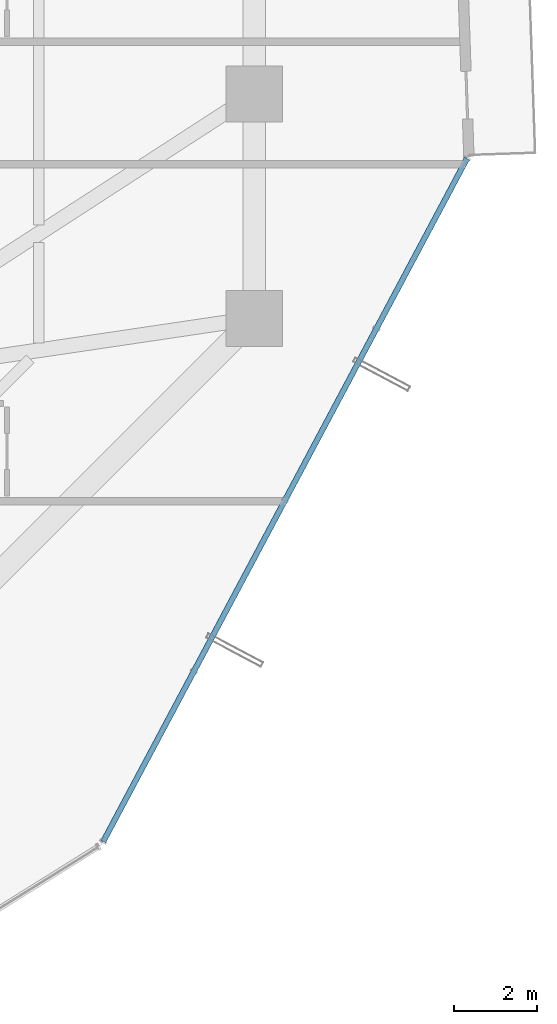
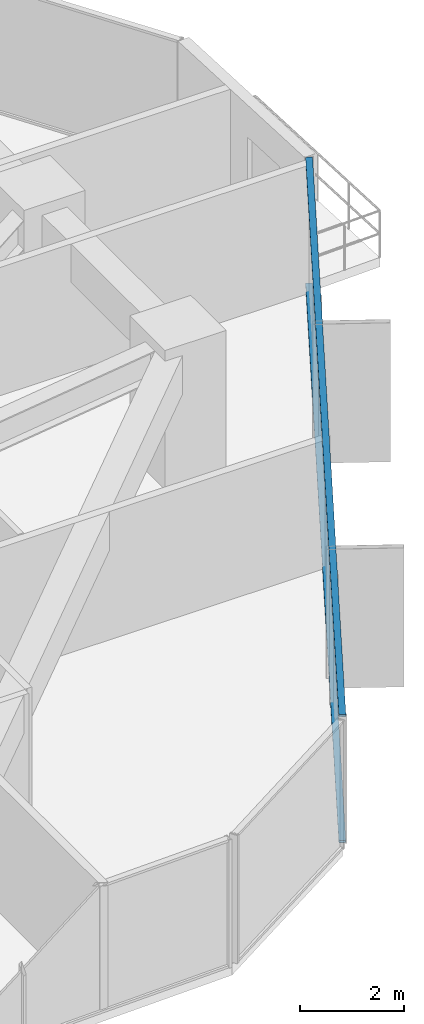
# One storey, part 17 of 39: 2 members, 1 element without a shape of its own.
"""IFC4 building model written with IfcOpenShell, lengths in metres."""

from ifc_helpers import new_model, si_unit, direction, frame, origin, origin_2d, place, context, subcontext, project, spatial, hollow_rectangle, extrude, source, transform, mapped, material, layer, layer_set, material_profile, profile_set, type_object, element, aggregate, save


model = new_model("IFC4")

# Units and contexts
model_context = context("Model", 3, precision=1e-05, world=origin(), true_north=direction((0.0, 1.0)))
body_context = subcontext(model_context, "Body", "Model", "MODEL_VIEW")
ifc_project = project(units=[si_unit("LENGTHUNIT", "METRE"), si_unit("AREAUNIT", "SQUARE_METRE"), si_unit("VOLUMEUNIT", "CUBIC_METRE"), si_unit("PLANEANGLEUNIT", "RADIAN"), si_unit("MASSUNIT", "GRAM", prefix="KILO")], contexts=[model_context])

# Site, building, storey
site_placement = place(None, origin())
site = spatial("IfcSite", under=ifc_project, at=site_placement, CompositionType="ELEMENT")
building_placement = place(site_placement, origin())
building = spatial("IfcBuilding", under=site, at=building_placement, Name="Veraguas Prism Commons", CompositionType="ELEMENT")
storey_placement = place(building_placement, frame((0.0, 0.0, 30.550048828125)))
storey = spatial("IfcBuildingStorey", under=building, at=storey_placement, Name="L07", CompositionType="ELEMENT", Elevation=30.550048828125)

# Curtain wall, members
ifc_material = material(Name="Anodised aluminium EN AW-6063 T6", Category="aluminium")
ifc_layer = layer(ifc_material, 0.169921875, Name="Unitised Flush Curtain Wall Zone 1", Category="aluminium")
ifc_layer_set = layer_set([ifc_layer], Name="Anodised aluminium EN AW-6063 T6")
curtain_wall_type = type_object("IfcCurtainWallType", Name="Unitised Flush Curtain Wall Zone 1", PredefinedType="NOTDEFINED", material=ifc_layer_set)
curtain_wall_placement = place(storey_placement, origin())
curtain_wall = element("IfcCurtainWall", 1, at=curtain_wall_placement, inside=storey, type_object=curtain_wall_type, Name="Tower Facade Curtain Wall L07-F6", PredefinedType="NOTDEFINED")
ifc_material_profile = material_profile(ifc_material, hollow_rectangle(XDim=0.054931640625, YDim=0.135009765625, WallThickness=0.0029296875, at=origin_2d()), Name="AL55X135X3")
ifc_profile_set = profile_set([ifc_material_profile], Name="Anodised aluminium EN AW-6063 T6")
member_type = type_object("IfcMemberType", Name="Curtain Wall Transom Standard AL 55x135x3", PredefinedType="USERDEFINED", material=ifc_profile_set)
shared_shape = source(origin(), body_context, "Body", "SweptSolid", [
    extrude(hollow_rectangle(XDim=0.054931640625, YDim=0.135009765625, WallThickness=0.0029296875, at=origin_2d()), origin(), (0.0, 0.0, 1.0), 18.623779296875),
])
member_1_placement = place(storey_placement, frame((37.967529296875, 6.010498046875, 0.02734375), z_axis=(0.470090107597, 0.882618428733, 0.0), x_axis=(0.0, 0.0, 1.0)))
member_1 = element("IfcMember", 2, at=member_1_placement, type_object=member_type, Name="CW-Z1 Transom 1", ObjectType="TRANSOM", PredefinedType="USERDEFINED", context=body_context, shape_type="MappedRepresentation", body=[
    mapped(shared_shape, transform((0.0, 0.0, 0.0), scale=1.0)),
])
member_2_placement = place(storey_placement, frame((37.967529296875, 6.010498046875, 2.972412109375), z_axis=(0.470090107597, 0.882618428733, 0.0), x_axis=(0.0, 0.0, 1.0)))
member_2 = element("IfcMember", 3, at=member_2_placement, type_object=member_type, Name="CW-Z1 Transom 2", ObjectType="TRANSOM", PredefinedType="USERDEFINED", context=body_context, shape_type="MappedRepresentation", body=[
    mapped(shared_shape, transform((0.0, 0.0, 0.0), scale=1.0)),
])
aggregate(curtain_wall, [member_1, member_2])

save(model, "model.ifc")
